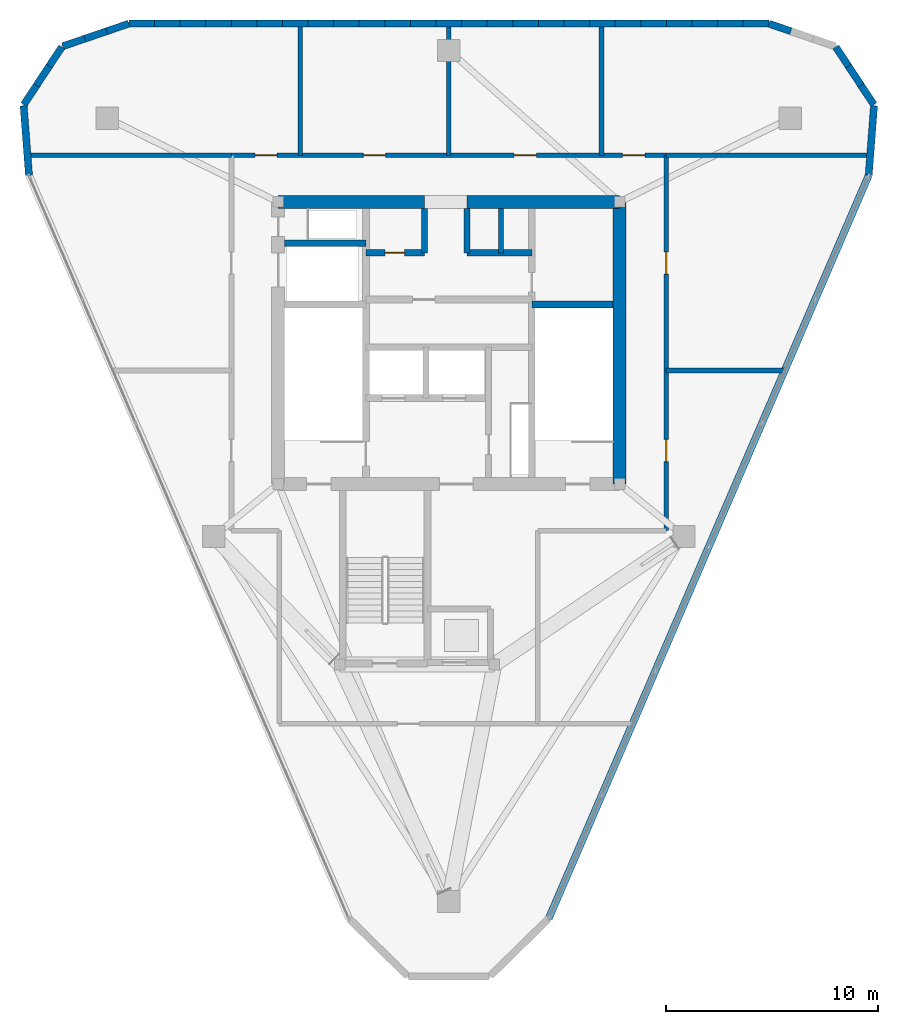
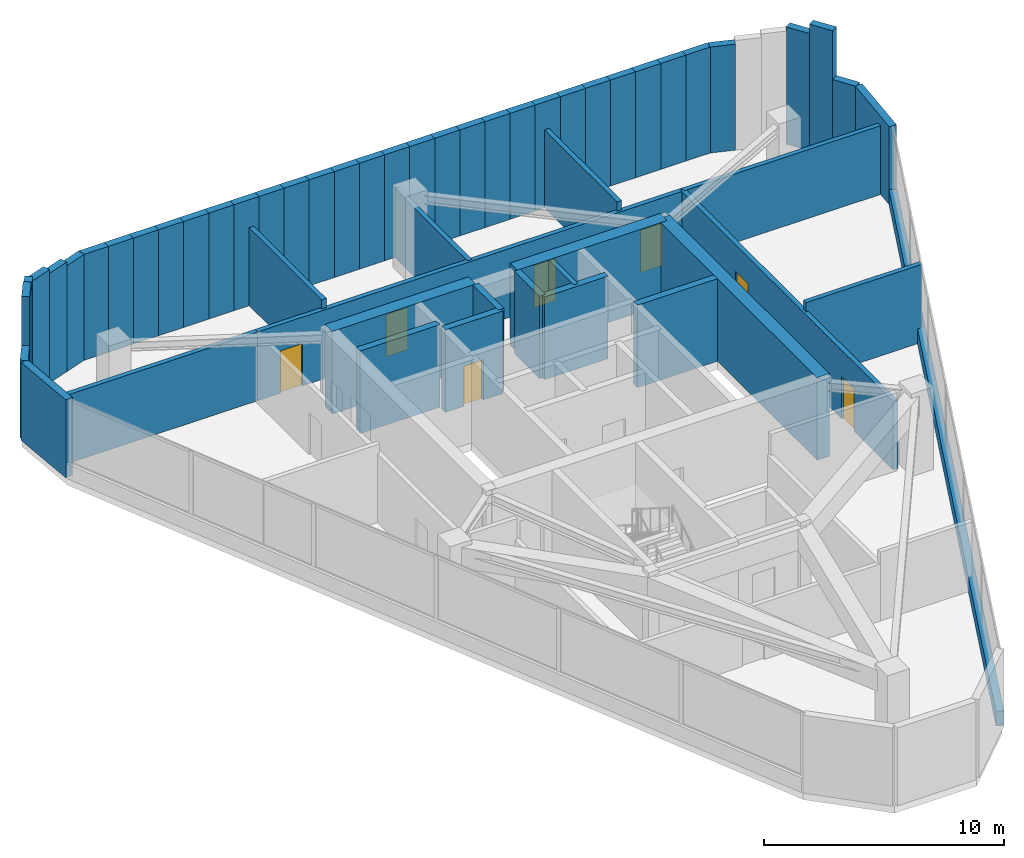
# One storey, part 6 of 9: 56 walls, 7 doors, 7 openings.
"""IFC4 building model written with IfcOpenShell, lengths in metres."""

from ifc_helpers import new_model, si_unit, direction, frame, frame_2d, origin, place, context, subcontext, project, spatial, rectangle, extrude, material, layer, layer_set, type_object, element, fill, save


model = new_model("IFC4")

# Units and contexts
model_context = context("Model", 3, precision=1e-05, world=origin(), true_north=direction((0.0, 1.0)))
body_context = subcontext(model_context, "Body", "Model", "MODEL_VIEW")
ifc_project = project(units=[si_unit("LENGTHUNIT", "METRE"), si_unit("AREAUNIT", "SQUARE_METRE"), si_unit("VOLUMEUNIT", "CUBIC_METRE"), si_unit("PLANEANGLEUNIT", "RADIAN"), si_unit("MASSUNIT", "GRAM", prefix="KILO")], contexts=[model_context])

# Site, building, storey
site_placement = place(None, origin())
site = spatial("IfcSite", under=ifc_project, at=site_placement, CompositionType="ELEMENT")
building_placement = place(site_placement, origin())
building = spatial("IfcBuilding", under=site, at=building_placement, Name="Talyreon Biosciences Tower", CompositionType="ELEMENT")
storey_placement = place(building_placement, frame((0.0, 0.0, 317.199951171875)))
storey = spatial("IfcBuildingStorey", under=building, at=storey_placement, Name="L84", CompositionType="ELEMENT", Elevation=317.199951171875)

# Walls
ifc_material_1 = material(Name="Concrete C50/60", Category="concrete")
ifc_layer_1 = layer(ifc_material_1, 0.219970703125)
ifc_layer_set_1 = layer_set([ifc_layer_1], Name="Concrete C50/60")
wall_type_1 = type_object("IfcWallType", Name="CoreShearWall_220", PredefinedType="SHEAR", material=ifc_layer_set_1)
wall_1_placement = place(storey_placement, frame((68.4599609375, 72.25, 0.0), z_axis=(0.0, 0.0, 1.0), x_axis=(0.0, 1.0, 0.0)))
element("IfcWall", 1, at=wall_1_placement, inside=storey, type_object=wall_type_1, Name="L84 Core Shaft Wall SWPHD", PredefinedType="SHEAR", context=body_context, shape_type="SweptSolid", body=[
    extrude(rectangle(XDim=2.10009765625, YDim=0.219970703125, at=frame_2d((1.050048828125, 0.0))), origin(), (0.0, 0.0, 1.0), 4.199951171875),
])
ifc_layer_2 = layer(ifc_material_1, 0.280029296875)
ifc_layer_set_2 = layer_set([ifc_layer_2], Name="Concrete C50/60")
wall_type_2 = type_object("IfcWallType", Name="CoreShearWall_280", PredefinedType="SHEAR", material=ifc_layer_set_2)
for number, where, z_axis, x_axis, name in (
    (2, (64.85009765625, 72.25, 0.0), (0.0, 0.0, 1.0), (0.0, 1.0, 0.0), "L84 Core Shaft Wall SWTHW"),
    (3, (66.85009765625, 72.25, 0.0), (0.0, 0.0, 1.0), (0.0, 1.0, 0.0), "L84 Core Shaft Wall SWTHE"),
):
    element("IfcWall", number, at=place(storey_placement, frame(where, z_axis=z_axis, x_axis=x_axis)), inside=storey, type_object=wall_type_2, Name=name, PredefinedType="SHEAR", context=body_context, shape_type="SweptSolid", body=[
        extrude(rectangle(XDim=2.10009765625, YDim=0.280029296875, at=frame_2d((1.050048828125, 0.0))), origin(), (0.0, 0.0, 1.0), 4.199951171875),
    ])
ifc_layer_3 = layer(ifc_material_1, 0.320068359375)
ifc_layer_set_3 = layer_set([ifc_layer_3], Name="Concrete C50/60")
wall_type_3 = type_object("IfcWallType", Name="CoreShearWall_320", PredefinedType="SHEAR", material=ifc_layer_set_3)
for number, where, z_axis, x_axis, name in (
    (4, (69.909912109375, 69.81005859375, 0.0), (0.0, 0.0, 1.0), (1.0, 0.0, 0.0), "L84 Core Shaft Wall SW2N"),
    (5, (58.25, 72.699951171875, 0.0), (0.0, 0.0, 1.0), (1.0, 0.0, 0.0), "L84 Core Shaft Wall SWGLN"),
):
    element("IfcWall", number, at=place(storey_placement, frame(where, z_axis=z_axis, x_axis=x_axis)), inside=storey, type_object=wall_type_3, Name=name, PredefinedType="SHEAR", context=body_context, shape_type="SweptSolid", body=[
        extrude(rectangle(XDim=3.840087890625, YDim=0.320068359375, at=frame_2d((1.919921875, 0.0))), origin(), (0.0, 0.0, 1.0), 4.199951171875),
    ])

# Wall, opening, door
wall_2_placement = place(storey_placement, frame((62.090087890625, 72.25, 0.0), z_axis=(0.0, 0.0, 1.0), x_axis=(1.0, 0.0, 0.0)))
wall_2 = element("IfcWall", 6, at=wall_2_placement, inside=storey, type_object=wall_type_3, Name="L84 Core Shaft Wall SWNPW", PredefinedType="SHEAR", context=body_context, shape_type="SweptSolid", body=[
    extrude(rectangle(XDim=2.760009765625, YDim=0.320068359375, at=frame_2d((1.3798828125, 0.0))), origin(), (0.0, 0.0, 1.0), 4.199951171875),
])
opening_1_placement = place(wall_2_placement, frame((0.89990234375, 0.0, 0.0)))
opening_1 = element("IfcOpeningElement", 7, at=opening_1_placement, cuts=wall_2, Name="Opening DR-L84-PM2FREE", PredefinedType="OPENING", context=body_context, shape_type="SweptSolid", body=[
    extrude(rectangle(XDim=0.919921875, YDim=2.050048828125, at=frame_2d((0.4599609375, 1.02490234375))), frame((0.0, 0.169921875, 0.0), z_axis=(0.0, -1.0, 0.0), x_axis=(1.0, 0.0, 0.0)), (0.0, 0.0, 1.0), 0.340087890625),
])
ifc_material_2 = material(Name="Painted steel fire-rated riser door", Category="steel")
door_type_1 = type_object("IfcDoorType", Name="RiserPlantAccessDoor_920x2050", OperationType="NOTDEFINED", PredefinedType="DOOR", material=ifc_material_2)
door_1_placement = place(opening_1_placement, origin())
door_1 = element("IfcDoor", 8, at=door_1_placement, inside=storey, type_object=door_type_1, Name="L84 Core Door DR-L84-PM2FREE", OperationType="SINGLE_SWING_RIGHT", OverallHeight=2.050048828125, OverallWidth=0.919921875, PredefinedType="DOOR", context=body_context, shape_type="SweptSolid", body=[
    extrude(rectangle(XDim=0.919921875, YDim=2.050048828125, at=frame_2d((0.4599609375, 1.02490234375))), frame((0.0, 0.02490234375, 0.0), z_axis=(0.0, -1.0, 0.0), x_axis=(1.0, 0.0, 0.0)), (0.0, 0.0, 1.0), 0.050048828125),
])
fill(opening_1, door_1)

# Walls
wall_3_placement = place(storey_placement, frame((66.85009765625, 72.25, 0.0), z_axis=(0.0, 0.0, 1.0), x_axis=(1.0, 0.0, 0.0)))
element("IfcWall", 9, at=wall_3_placement, inside=storey, type_object=wall_type_3, Name="L84 Core Shaft Wall SWNPE", PredefinedType="SHEAR", context=body_context, shape_type="SweptSolid", body=[
    extrude(rectangle(XDim=3.059814453125, YDim=0.320068359375, at=frame_2d((1.52978515625, 0.0))), origin(), (0.0, 0.0, 1.0), 4.199951171875),
])
ifc_layer_4 = layer(ifc_material_1, 0.60009765625)
ifc_layer_set_4 = layer_set([ifc_layer_4], Name="Concrete C50/60")
wall_type_4 = type_object("IfcWallType", Name="CoreShearWall_600", PredefinedType="SHEAR", material=ifc_layer_set_4)
wall_4_placement = place(storey_placement, frame((74.050048828125, 61.35009765625, 0.0), z_axis=(0.0, 0.0, 1.0), x_axis=(0.0, 1.0, 0.0)))
element("IfcWall", 10, at=wall_4_placement, inside=storey, type_object=wall_type_4, Name="L84 Core Shear Wall E", PredefinedType="SHEAR", context=body_context, shape_type="SweptSolid", body=[
    extrude(rectangle(XDim=13.2998046875, YDim=0.60009765625, at=frame_2d((6.64990234375, 0.0))), origin(), (0.0, 0.0, 1.0), 4.199951171875),
])
wall_5_placement = place(storey_placement, frame((74.050048828125, 74.64990234375, 0.0), z_axis=(0.0, 0.0, 1.0), x_axis=(-1.0, 0.0, 0.0)))
element("IfcWall", 11, at=wall_5_placement, inside=storey, type_object=wall_type_4, Name="L84 Core Shear Wall NE", PredefinedType="SHEAR", context=body_context, shape_type="SweptSolid", body=[
    extrude(rectangle(XDim=7.199951171875, YDim=0.60009765625, at=frame_2d((3.60009765625, 0.0))), origin(), (0.0, 0.0, 1.0), 4.199951171875),
])
wall_6_placement = place(storey_placement, frame((64.85009765625, 74.64990234375, 0.0), z_axis=(0.0, 0.0, 1.0), x_axis=(-1.0, 0.0, 0.0)))
element("IfcWall", 12, at=wall_6_placement, inside=storey, type_object=wall_type_4, Name="L84 Core Shear Wall NW", PredefinedType="SHEAR", context=body_context, shape_type="SweptSolid", body=[
    extrude(rectangle(XDim=6.900146484375, YDim=0.60009765625, at=frame_2d((3.4501953125, 0.0))), origin(), (0.0, 0.0, 1.0), 4.199951171875),
])
ifc_material_3 = material(Name="Gypsum fireboard acoustic stud", Category="gypsum")
ifc_layer_5 = layer(ifc_material_3, 0.219970703125)
ifc_layer_set_5 = layer_set([ifc_layer_5], Name="Gypsum fireboard acoustic stud")
wall_type_5 = type_object("IfcWallType", Name="CorridorRatedPartition_220", PredefinedType="PARTITIONING", material=ifc_layer_set_5)
wall_7_placement = place(storey_placement, frame((59.0, 76.85009765625, 0.0), z_axis=(0.0, 0.0, 1.0), x_axis=(0.0, 1.0, 0.0)))
element("IfcWall", 13, at=wall_7_placement, inside=storey, type_object=wall_type_5, Name="L84 Interior Wall IW-L84-ND1", PredefinedType="PARTITIONING", context=body_context, shape_type="SweptSolid", body=[
    extrude(rectangle(XDim=6.203857421875, YDim=0.219970703125, at=frame_2d((3.10205078125, 0.0))), origin(), (0.0, 0.0, 1.0), 3.965087890625),
])
wall_8_placement = place(storey_placement, frame((66.0, 76.85009765625, 0.0), z_axis=(0.0, 0.0, 1.0), x_axis=(0.0, 1.0, 0.0)))
element("IfcWall", 14, at=wall_8_placement, inside=storey, type_object=wall_type_5, Name="L84 Interior Wall IW-L84-ND2", PredefinedType="PARTITIONING", context=body_context, shape_type="SweptSolid", body=[
    extrude(rectangle(XDim=6.203857421875, YDim=0.219970703125, at=frame_2d((3.10205078125, 0.0))), origin(), (0.0, 0.0, 1.0), 3.4951171875),
])
wall_9_placement = place(storey_placement, frame((73.199951171875, 76.85009765625, 0.0), z_axis=(0.0, 0.0, 1.0), x_axis=(0.0, 1.0, 0.0)))
element("IfcWall", 15, at=wall_9_placement, inside=storey, type_object=wall_type_5, Name="L84 Interior Wall IW-L84-ND3", PredefinedType="PARTITIONING", context=body_context, shape_type="SweptSolid", body=[
    extrude(rectangle(XDim=6.203857421875, YDim=0.219970703125, at=frame_2d((3.10205078125, 0.0))), origin(), (0.0, 0.0, 1.0), 3.965087890625),
])
for number, where, z_axis, x_axis, name in (
    (16, (46.134521484375, 76.85009765625, 0.0), (0.0, 0.0, 1.0), (1.0, 0.0, 0.0), "L84 Interior Wall IW-L84-NDIV-NW"),
    (17, (76.25, 76.85009765625, 0.0), (0.0, 0.0, 1.0), (1.0, 0.0, 0.0), "L84 Interior Wall IW-L84-NDIV-NE"),
):
    element("IfcWall", number, at=place(storey_placement, frame(where, z_axis=z_axis, x_axis=x_axis)), inside=storey, type_object=wall_type_5, Name=name, PredefinedType="PARTITIONING", context=body_context, shape_type="SweptSolid", body=[
        extrude(rectangle(XDim=9.615478515625, YDim=0.219970703125, at=frame_2d((4.8076171875, 0.0))), origin(), (0.0, 0.0, 1.0), 3.4951171875),
    ])
wall_10_placement = place(storey_placement, frame((76.25, 66.699951171875, 0.0), z_axis=(0.0, 0.0, 1.0), x_axis=(1.0, 0.0, 0.0)))
element("IfcWall", 18, at=wall_10_placement, inside=storey, type_object=wall_type_5, Name="L84 Interior Wall IW-L84-ED1", PredefinedType="PARTITIONING", context=body_context, shape_type="SweptSolid", body=[
    extrude(rectangle(XDim=5.580078125, YDim=0.219970703125, at=frame_2d((2.7900390625, 0.0))), origin(), (0.0, 0.0, 1.0), 3.965087890625),
])

# Wall, openings, doors
wall_11_placement = place(storey_placement, frame((76.25, 59.14990234375, 0.0), z_axis=(0.0, 0.0, 1.0), x_axis=(0.0, 1.0, 0.0)))
wall_11 = element("IfcWall", 19, at=wall_11_placement, inside=storey, type_object=wall_type_5, Name="L84 Interior Wall IW-L84-PC-E", PredefinedType="PARTITIONING", context=body_context, shape_type="SweptSolid", body=[
    extrude(rectangle(XDim=17.7001953125, YDim=0.219970703125, at=frame_2d((8.85009765625, 0.0))), origin(), (0.0, 0.0, 1.0), 3.4951171875),
])
opening_2_placement = place(wall_11_placement, frame((3.25, 0.0, 0.0)))
opening_2 = element("IfcOpeningElement", 20, at=opening_2_placement, cuts=wall_11, Name="Opening DR-L84-PL-EB", PredefinedType="OPENING", context=body_context, shape_type="SweptSolid", body=[
    extrude(rectangle(XDim=1.050048828125, YDim=2.14990234375, at=frame_2d((0.52490234375, 1.074951171875))), frame((0.0, 0.119873046875, 0.0), z_axis=(0.0, -1.0, 0.0), x_axis=(1.0, 0.0, 0.0)), (0.0, 0.0, 1.0), 0.239990234375),
])
opening_3_placement = place(wall_11_placement, frame((12.10009765625, 0.0, 0.0)))
opening_3 = element("IfcOpeningElement", 21, at=opening_3_placement, cuts=wall_11, Name="Opening DR-L84-PL-EA", PredefinedType="OPENING", context=body_context, shape_type="SweptSolid", body=[
    extrude(rectangle(XDim=1.050048828125, YDim=2.14990234375, at=frame_2d((0.52490234375, 1.074951171875))), frame((0.0, 0.119873046875, 0.0), z_axis=(0.0, -1.0, 0.0), x_axis=(1.0, 0.0, 0.0)), (0.0, 0.0, 1.0), 0.239990234375),
])
ifc_material_4 = material(Name="Acoustic timber-core laboratory door", Category="wood")
door_type_2 = type_object("IfcDoorType", Name="DryLabSingleDoor_1050x2150", OperationType="NOTDEFINED", PredefinedType="DOOR", material=ifc_material_4)
door_2_placement = place(opening_2_placement, origin())
door_2 = element("IfcDoor", 22, at=door_2_placement, inside=storey, type_object=door_type_2, Name="L84 Interior Door DR-L84-PL-EB", OperationType="SINGLE_SWING_RIGHT", OverallHeight=2.14990234375, OverallWidth=1.050048828125, PredefinedType="DOOR", context=body_context, shape_type="SweptSolid", body=[
    extrude(rectangle(XDim=1.050048828125, YDim=2.14990234375, at=frame_2d((0.52490234375, 1.074951171875))), frame((0.0, 0.02490234375, 0.0), z_axis=(0.0, -1.0, 0.0), x_axis=(1.0, 0.0, 0.0)), (0.0, 0.0, 1.0), 0.050048828125),
])
fill(opening_2, door_2)
door_3_placement = place(opening_3_placement, origin())
door_3 = element("IfcDoor", 23, at=door_3_placement, inside=storey, type_object=door_type_2, Name="L84 Interior Door DR-L84-PL-EA", OperationType="SINGLE_SWING_LEFT", OverallHeight=2.14990234375, OverallWidth=1.050048828125, PredefinedType="DOOR", context=body_context, shape_type="SweptSolid", body=[
    extrude(rectangle(XDim=1.050048828125, YDim=2.14990234375, at=frame_2d((0.52490234375, 1.074951171875))), frame((0.0, 0.02490234375, 0.0), z_axis=(0.0, -1.0, 0.0), x_axis=(1.0, 0.0, 0.0)), (0.0, 0.0, 1.0), 0.050048828125),
])
fill(opening_3, door_3)

wall_12_placement = place(storey_placement, frame((55.75, 76.85009765625, 0.0), z_axis=(0.0, 0.0, 1.0), x_axis=(1.0, 0.0, 0.0)))
wall_12 = element("IfcWall", 24, at=wall_12_placement, inside=storey, type_object=wall_type_5, Name="L84 Interior Wall IW-L84-PC-N", PredefinedType="PARTITIONING", context=body_context, shape_type="SweptSolid", body=[
    extrude(rectangle(XDim=20.5, YDim=0.219970703125, at=frame_2d((10.25, 0.0))), origin(), (0.0, 0.0, 1.0), 3.4951171875),
])
opening_4_placement = place(wall_12_placement, frame((1.10009765625, 0.0, 0.0)))
opening_4 = element("IfcOpeningElement", 25, at=opening_4_placement, cuts=wall_12, Name="Opening DR-L84-PL-NWA", PredefinedType="OPENING", context=body_context, shape_type="SweptSolid", body=[
    extrude(rectangle(XDim=1.050048828125, YDim=2.14990234375, at=frame_2d((0.52490234375, 1.074951171875))), frame((0.0, 0.119873046875, 0.0), z_axis=(0.0, -1.0, 0.0), x_axis=(1.0, 0.0, 0.0)), (0.0, 0.0, 1.0), 0.239990234375),
])
opening_5_placement = place(wall_12_placement, frame((6.22509765625, 0.0, 0.0)))
opening_5 = element("IfcOpeningElement", 26, at=opening_5_placement, cuts=wall_12, Name="Opening DR-L84-PL-NWB", PredefinedType="OPENING", context=body_context, shape_type="SweptSolid", body=[
    extrude(rectangle(XDim=1.050048828125, YDim=2.14990234375, at=frame_2d((0.52490234375, 1.074951171875))), frame((0.0, 0.119873046875, 0.0), z_axis=(0.0, -1.0, 0.0), x_axis=(1.0, 0.0, 0.0)), (0.0, 0.0, 1.0), 0.239990234375),
])
opening_6_placement = place(wall_12_placement, frame((13.324951171875, 0.0, 0.0)))
opening_6 = element("IfcOpeningElement", 27, at=opening_6_placement, cuts=wall_12, Name="Opening DR-L84-PL-NEA", PredefinedType="OPENING", context=body_context, shape_type="SweptSolid", body=[
    extrude(rectangle(XDim=1.050048828125, YDim=2.14990234375, at=frame_2d((0.52490234375, 1.074951171875))), frame((0.0, 0.119873046875, 0.0), z_axis=(0.0, -1.0, 0.0), x_axis=(1.0, 0.0, 0.0)), (0.0, 0.0, 1.0), 0.239990234375),
])
opening_7_placement = place(wall_12_placement, frame((18.449951171875, 0.0, 0.0)))
opening_7 = element("IfcOpeningElement", 28, at=opening_7_placement, cuts=wall_12, Name="Opening DR-L84-PL-NEB", PredefinedType="OPENING", context=body_context, shape_type="SweptSolid", body=[
    extrude(rectangle(XDim=1.050048828125, YDim=2.14990234375, at=frame_2d((0.52490234375, 1.074951171875))), frame((0.0, 0.119873046875, 0.0), z_axis=(0.0, -1.0, 0.0), x_axis=(1.0, 0.0, 0.0)), (0.0, 0.0, 1.0), 0.239990234375),
])
door_4_placement = place(opening_4_placement, origin())
door_4 = element("IfcDoor", 29, at=door_4_placement, inside=storey, type_object=door_type_2, Name="L84 Interior Door DR-L84-PL-NWA", OperationType="SINGLE_SWING_LEFT", OverallHeight=2.14990234375, OverallWidth=1.050048828125, PredefinedType="DOOR", context=body_context, shape_type="SweptSolid", body=[
    extrude(rectangle(XDim=1.050048828125, YDim=2.14990234375, at=frame_2d((0.52490234375, 1.074951171875))), frame((0.0, 0.02490234375, 0.0), z_axis=(0.0, -1.0, 0.0), x_axis=(1.0, 0.0, 0.0)), (0.0, 0.0, 1.0), 0.050048828125),
])
fill(opening_4, door_4)
door_5_placement = place(opening_5_placement, origin())
door_5 = element("IfcDoor", 30, at=door_5_placement, inside=storey, type_object=door_type_2, Name="L84 Interior Door DR-L84-PL-NWB", OperationType="SINGLE_SWING_LEFT", OverallHeight=2.14990234375, OverallWidth=1.050048828125, PredefinedType="DOOR", context=body_context, shape_type="SweptSolid", body=[
    extrude(rectangle(XDim=1.050048828125, YDim=2.14990234375, at=frame_2d((0.52490234375, 1.074951171875))), frame((0.0, 0.02490234375, 0.0), z_axis=(0.0, -1.0, 0.0), x_axis=(1.0, 0.0, 0.0)), (0.0, 0.0, 1.0), 0.050048828125),
])
fill(opening_5, door_5)
door_6_placement = place(opening_6_placement, origin())
door_6 = element("IfcDoor", 31, at=door_6_placement, inside=storey, type_object=door_type_2, Name="L84 Interior Door DR-L84-PL-NEA", OperationType="SINGLE_SWING_RIGHT", OverallHeight=2.14990234375, OverallWidth=1.050048828125, PredefinedType="DOOR", context=body_context, shape_type="SweptSolid", body=[
    extrude(rectangle(XDim=1.050048828125, YDim=2.14990234375, at=frame_2d((0.52490234375, 1.074951171875))), frame((0.0, 0.02490234375, 0.0), z_axis=(0.0, -1.0, 0.0), x_axis=(1.0, 0.0, 0.0)), (0.0, 0.0, 1.0), 0.050048828125),
])
fill(opening_6, door_6)
door_7_placement = place(opening_7_placement, origin())
door_7 = element("IfcDoor", 32, at=door_7_placement, inside=storey, type_object=door_type_2, Name="L84 Interior Door DR-L84-PL-NEB", OperationType="SINGLE_SWING_RIGHT", OverallHeight=2.14990234375, OverallWidth=1.050048828125, PredefinedType="DOOR", context=body_context, shape_type="SweptSolid", body=[
    extrude(rectangle(XDim=1.050048828125, YDim=2.14990234375, at=frame_2d((0.52490234375, 1.074951171875))), frame((0.0, 0.02490234375, 0.0), z_axis=(0.0, -1.0, 0.0), x_axis=(1.0, 0.0, 0.0)), (0.0, 0.0, 1.0), 0.050048828125),
])
fill(opening_7, door_7)

# Walls
ifc_material_5 = material(Name="Precast concrete C45/55", Category="concrete")
ifc_layer_6 = layer(ifc_material_5, 0.340087890625)
ifc_layer_set_6 = layer_set([ifc_layer_6], Name="Precast concrete C45/55")
wall_type_6 = type_object("IfcWallType", Name="PrecastConcreteSpandrelWall_340", PredefinedType="STANDARD", material=ifc_layer_set_6)
wall_13_placement = place(storey_placement, frame((46.20263671875, 75.90185546875, 0.0), z_axis=(0.0, 0.0, 1.0), x_axis=(-0.076900449509, 0.997038776009, 0.0)))
element("IfcWall", 33, at=wall_13_placement, inside=storey, type_object=wall_type_6, Name="L84 Stepped Crown Concrete Wall 00", PredefinedType="STANDARD", context=body_context, shape_type="SweptSolid", body=[
    extrude(rectangle(XDim=3.29541015625, YDim=0.340087890625, at=frame_2d((1.647705078125, 0.0))), origin(), (0.0, 0.0, 1.0), 3.965087890625),
])
wall_14_placement = place(storey_placement, frame((45.96337890625, 79.2421875, 0.0), z_axis=(0.0, 0.0, 1.0), x_axis=(0.549699252671, 0.835362634796, 0.0)))
element("IfcWall", 34, at=wall_14_placement, inside=storey, type_object=wall_type_6, Name="L84 Slanted Crown Spandrel 01.01", PredefinedType="STANDARD", context=body_context, shape_type="SweptSolid", body=[
    extrude(rectangle(XDim=1.083740234375, YDim=0.340087890625, at=frame_2d((0.5419921875, 0.0))), origin(), (0.0, 0.0, 1.0), 3.965087890625),
])
wall_15_placement = place(storey_placement, frame((46.55908203125, 80.1474609375, 0.0), z_axis=(0.0, 0.0, 1.0), x_axis=(0.549959905763, 0.835191057216, 0.0)))
element("IfcWall", 35, at=wall_15_placement, inside=storey, type_object=wall_type_6, Name="L84 Slanted Crown Spandrel 01.02", PredefinedType="STANDARD", context=body_context, shape_type="SweptSolid", body=[
    extrude(rectangle(XDim=1.083740234375, YDim=0.340087890625, at=frame_2d((0.5419921875, 0.0))), origin(), (0.0, 0.0, 1.0), 6.4423828125),
])
wall_16_placement = place(storey_placement, frame((47.155029296875, 81.052490234375, 0.0), z_axis=(0.0, 0.0, 1.0), x_axis=(0.549699252671, 0.835362634796, 0.0)))
element("IfcWall", 36, at=wall_16_placement, inside=storey, type_object=wall_type_6, Name="L84 Slanted Crown Spandrel 01.03", PredefinedType="STANDARD", context=body_context, shape_type="SweptSolid", body=[
    extrude(rectangle(XDim=1.083740234375, YDim=0.340087890625, at=frame_2d((0.5419921875, 0.0))), origin(), (0.0, 0.0, 1.0), 5.96630859375),
])
wall_17_placement = place(storey_placement, frame((47.79541015625, 81.992431640625, 0.0), z_axis=(0.0, 0.0, 1.0), x_axis=(0.946187270161, 0.323619606614, 0.0)))
element("IfcWall", 37, at=wall_17_placement, inside=storey, type_object=wall_type_6, Name="L84 Slanted Crown Spandrel 02.01", PredefinedType="STANDARD", context=body_context, shape_type="SweptSolid", body=[
    extrude(rectangle(XDim=1.098388671875, YDim=0.340087890625, at=frame_2d((0.54931640625, 0.0))), origin(), (0.0, 0.0, 1.0), 5.76123046875),
])
wall_18_placement = place(storey_placement, frame((48.834716796875, 82.347900390625, 0.0), z_axis=(0.0, 0.0, 1.0), x_axis=(0.946187270161, 0.323619606614, 0.0)))
element("IfcWall", 38, at=wall_18_placement, inside=storey, type_object=wall_type_6, Name="L84 Slanted Crown Spandrel 02.02", PredefinedType="STANDARD", context=body_context, shape_type="SweptSolid", body=[
    extrude(rectangle(XDim=1.098388671875, YDim=0.340087890625, at=frame_2d((0.54931640625, 0.0))), origin(), (0.0, 0.0, 1.0), 5.57421875),
])
wall_19_placement = place(storey_placement, frame((49.8740234375, 82.703369140625, 0.0), z_axis=(0.0, 0.0, 1.0), x_axis=(0.946187270161, 0.323619606614, 0.0)))
element("IfcWall", 39, at=wall_19_placement, inside=storey, type_object=wall_type_6, Name="L84 Slanted Crown Spandrel 02.03", PredefinedType="STANDARD", context=body_context, shape_type="SweptSolid", body=[
    extrude(rectangle(XDim=1.098388671875, YDim=0.340087890625, at=frame_2d((0.54931640625, 0.0))), origin(), (0.0, 0.0, 1.0), 5.387451171875),
])
wall_20_placement = place(storey_placement, frame((50.913330078125, 83.058837890625, 0.0), z_axis=(0.0, 0.0, 1.0), x_axis=(1.0, 0.0, 0.0)))
element("IfcWall", 40, at=wall_20_placement, inside=storey, type_object=wall_type_6, Name="L84 Slanted Crown Spandrel 03.01", PredefinedType="STANDARD", context=body_context, shape_type="SweptSolid", body=[
    extrude(rectangle(XDim=1.206787109375, YDim=0.340087890625, at=frame_2d((0.603515625, 0.0))), origin(), (0.0, 0.0, 1.0), 5.387451171875),
])
for number, where, z_axis, x_axis, name in (
    (41, (52.1201171875, 83.058837890625, 0.0), (0.0, 0.0, 1.0), (1.0, 0.0, 0.0), "L84 Slanted Crown Spandrel 03.02"),
    (42, (53.3271484375, 83.058837890625, 0.0), (0.0, 0.0, 1.0), (1.0, 0.0, 0.0), "L84 Slanted Crown Spandrel 03.03"),
):
    element("IfcWall", number, at=place(storey_placement, frame(where, z_axis=z_axis, x_axis=x_axis)), inside=storey, type_object=wall_type_6, Name=name, PredefinedType="STANDARD", context=body_context, shape_type="SweptSolid", body=[
        extrude(rectangle(XDim=1.20703125, YDim=0.340087890625, at=frame_2d((0.603515625, 0.0))), origin(), (0.0, 0.0, 1.0), 5.387451171875),
    ])
wall_21_placement = place(storey_placement, frame((54.5341796875, 83.058837890625, 0.0), z_axis=(0.0, 0.0, 1.0), x_axis=(1.0, 0.0, 0.0)))
element("IfcWall", 43, at=wall_21_placement, inside=storey, type_object=wall_type_6, Name="L84 Slanted Crown Spandrel 03.04", PredefinedType="STANDARD", context=body_context, shape_type="SweptSolid", body=[
    extrude(rectangle(XDim=1.206787109375, YDim=0.340087890625, at=frame_2d((0.603515625, 0.0))), origin(), (0.0, 0.0, 1.0), 5.387451171875),
])
wall_22_placement = place(storey_placement, frame((55.740966796875, 83.058837890625, 0.0), z_axis=(0.0, 0.0, 1.0), x_axis=(1.0, 0.0, 0.0)))
element("IfcWall", 44, at=wall_22_placement, inside=storey, type_object=wall_type_6, Name="L84 Slanted Crown Spandrel 03.05", PredefinedType="STANDARD", context=body_context, shape_type="SweptSolid", body=[
    extrude(rectangle(XDim=1.20703125, YDim=0.340087890625, at=frame_2d((0.603515625, 0.0))), origin(), (0.0, 0.0, 1.0), 5.387451171875),
])
wall_23_placement = place(storey_placement, frame((56.947998046875, 83.058837890625, 0.0), z_axis=(0.0, 0.0, 1.0), x_axis=(1.0, 0.0, 0.0)))
element("IfcWall", 45, at=wall_23_placement, inside=storey, type_object=wall_type_6, Name="L84 Slanted Crown Spandrel 03.06", PredefinedType="STANDARD", context=body_context, shape_type="SweptSolid", body=[
    extrude(rectangle(XDim=1.206787109375, YDim=0.340087890625, at=frame_2d((0.603515625, 0.0))), origin(), (0.0, 0.0, 1.0), 5.387451171875),
])
for number, where, z_axis, x_axis, name in (
    (46, (58.15478515625, 83.058837890625, 0.0), (0.0, 0.0, 1.0), (1.0, 0.0, 0.0), "L84 Slanted Crown Spandrel 03.07"),
    (47, (59.36181640625, 83.058837890625, 0.0), (0.0, 0.0, 1.0), (1.0, 0.0, 0.0), "L84 Slanted Crown Spandrel 03.08"),
):
    element("IfcWall", number, at=place(storey_placement, frame(where, z_axis=z_axis, x_axis=x_axis)), inside=storey, type_object=wall_type_6, Name=name, PredefinedType="STANDARD", context=body_context, shape_type="SweptSolid", body=[
        extrude(rectangle(XDim=1.20703125, YDim=0.340087890625, at=frame_2d((0.603515625, 0.0))), origin(), (0.0, 0.0, 1.0), 5.387451171875),
    ])
wall_24_placement = place(storey_placement, frame((60.56884765625, 83.058837890625, 0.0), z_axis=(0.0, 0.0, 1.0), x_axis=(1.0, 0.0, 0.0)))
element("IfcWall", 48, at=wall_24_placement, inside=storey, type_object=wall_type_6, Name="L84 Slanted Crown Spandrel 03.09", PredefinedType="STANDARD", context=body_context, shape_type="SweptSolid", body=[
    extrude(rectangle(XDim=1.206787109375, YDim=0.340087890625, at=frame_2d((0.603515625, 0.0))), origin(), (0.0, 0.0, 1.0), 5.387451171875),
])
for number, where, z_axis, x_axis, name in (
    (49, (61.775634765625, 83.058837890625, 0.0), (0.0, 0.0, 1.0), (1.0, 0.0, 0.0), "L84 Slanted Crown Spandrel 03.10"),
    (50, (62.982666015625, 83.058837890625, 0.0), (0.0, 0.0, 1.0), (1.0, 0.0, 0.0), "L84 Slanted Crown Spandrel 03.11"),
):
    element("IfcWall", number, at=place(storey_placement, frame(where, z_axis=z_axis, x_axis=x_axis)), inside=storey, type_object=wall_type_6, Name=name, PredefinedType="STANDARD", context=body_context, shape_type="SweptSolid", body=[
        extrude(rectangle(XDim=1.20703125, YDim=0.340087890625, at=frame_2d((0.603515625, 0.0))), origin(), (0.0, 0.0, 1.0), 5.387451171875),
    ])
wall_25_placement = place(storey_placement, frame((64.189697265625, 83.058837890625, 0.0), z_axis=(0.0, 0.0, 1.0), x_axis=(1.0, 0.0, 0.0)))
element("IfcWall", 51, at=wall_25_placement, inside=storey, type_object=wall_type_6, Name="L84 Slanted Crown Spandrel 03.12", PredefinedType="STANDARD", context=body_context, shape_type="SweptSolid", body=[
    extrude(rectangle(XDim=1.206787109375, YDim=0.340087890625, at=frame_2d((0.603515625, 0.0))), origin(), (0.0, 0.0, 1.0), 5.387451171875),
])
wall_26_placement = place(storey_placement, frame((65.396484375, 83.058837890625, 0.0), z_axis=(0.0, 0.0, 1.0), x_axis=(1.0, 0.0, 0.0)))
element("IfcWall", 52, at=wall_26_placement, inside=storey, type_object=wall_type_6, Name="L84 Slanted Crown Spandrel 03.13", PredefinedType="STANDARD", context=body_context, shape_type="SweptSolid", body=[
    extrude(rectangle(XDim=1.20703125, YDim=0.340087890625, at=frame_2d((0.603515625, 0.0))), origin(), (0.0, 0.0, 1.0), 5.387451171875),
])
wall_27_placement = place(storey_placement, frame((66.603515625, 83.058837890625, 0.0), z_axis=(0.0, 0.0, 1.0), x_axis=(1.0, 0.0, 0.0)))
element("IfcWall", 53, at=wall_27_placement, inside=storey, type_object=wall_type_6, Name="L84 Slanted Crown Spandrel 03.14", PredefinedType="STANDARD", context=body_context, shape_type="SweptSolid", body=[
    extrude(rectangle(XDim=1.206787109375, YDim=0.340087890625, at=frame_2d((0.603515625, 0.0))), origin(), (0.0, 0.0, 1.0), 5.387451171875),
])
for number, where, z_axis, x_axis, name in (
    (54, (67.810302734375, 83.058837890625, 0.0), (0.0, 0.0, 1.0), (1.0, 0.0, 0.0), "L84 Slanted Crown Spandrel 03.15"),
    (55, (69.017333984375, 83.058837890625, 0.0), (0.0, 0.0, 1.0), (1.0, 0.0, 0.0), "L84 Slanted Crown Spandrel 03.16"),
):
    element("IfcWall", number, at=place(storey_placement, frame(where, z_axis=z_axis, x_axis=x_axis)), inside=storey, type_object=wall_type_6, Name=name, PredefinedType="STANDARD", context=body_context, shape_type="SweptSolid", body=[
        extrude(rectangle(XDim=1.20703125, YDim=0.340087890625, at=frame_2d((0.603515625, 0.0))), origin(), (0.0, 0.0, 1.0), 5.387451171875),
    ])
wall_28_placement = place(storey_placement, frame((70.224365234375, 83.058837890625, 0.0), z_axis=(0.0, 0.0, 1.0), x_axis=(1.0, 0.0, 0.0)))
element("IfcWall", 56, at=wall_28_placement, inside=storey, type_object=wall_type_6, Name="L84 Slanted Crown Spandrel 03.17", PredefinedType="STANDARD", context=body_context, shape_type="SweptSolid", body=[
    extrude(rectangle(XDim=1.206787109375, YDim=0.340087890625, at=frame_2d((0.603515625, 0.0))), origin(), (0.0, 0.0, 1.0), 5.387451171875),
])
for number, where, z_axis, x_axis, name in (
    (57, (71.43115234375, 83.058837890625, 0.0), (0.0, 0.0, 1.0), (1.0, 0.0, 0.0), "L84 Slanted Crown Spandrel 03.18"),
    (58, (72.63818359375, 83.058837890625, 0.0), (0.0, 0.0, 1.0), (1.0, 0.0, 0.0), "L84 Slanted Crown Spandrel 03.19"),
):
    element("IfcWall", number, at=place(storey_placement, frame(where, z_axis=z_axis, x_axis=x_axis)), inside=storey, type_object=wall_type_6, Name=name, PredefinedType="STANDARD", context=body_context, shape_type="SweptSolid", body=[
        extrude(rectangle(XDim=1.20703125, YDim=0.340087890625, at=frame_2d((0.603515625, 0.0))), origin(), (0.0, 0.0, 1.0), 5.387451171875),
    ])
wall_29_placement = place(storey_placement, frame((73.84521484375, 83.058837890625, 0.0), z_axis=(0.0, 0.0, 1.0), x_axis=(1.0, 0.0, 0.0)))
element("IfcWall", 59, at=wall_29_placement, inside=storey, type_object=wall_type_6, Name="L84 Slanted Crown Spandrel 03.20", PredefinedType="STANDARD", context=body_context, shape_type="SweptSolid", body=[
    extrude(rectangle(XDim=1.206787109375, YDim=0.340087890625, at=frame_2d((0.603515625, 0.0))), origin(), (0.0, 0.0, 1.0), 5.387451171875),
])
wall_30_placement = place(storey_placement, frame((75.052001953125, 83.058837890625, 0.0), z_axis=(0.0, 0.0, 1.0), x_axis=(1.0, 0.0, 0.0)))
element("IfcWall", 60, at=wall_30_placement, inside=storey, type_object=wall_type_6, Name="L84 Slanted Crown Spandrel 03.21", PredefinedType="STANDARD", context=body_context, shape_type="SweptSolid", body=[
    extrude(rectangle(XDim=1.20703125, YDim=0.340087890625, at=frame_2d((0.603515625, 0.0))), origin(), (0.0, 0.0, 1.0), 5.387451171875),
])
wall_31_placement = place(storey_placement, frame((76.259033203125, 83.058837890625, 0.0), z_axis=(0.0, 0.0, 1.0), x_axis=(1.0, 0.0, 0.0)))
element("IfcWall", 61, at=wall_31_placement, inside=storey, type_object=wall_type_6, Name="L84 Slanted Crown Spandrel 03.22", PredefinedType="STANDARD", context=body_context, shape_type="SweptSolid", body=[
    extrude(rectangle(XDim=1.206787109375, YDim=0.340087890625, at=frame_2d((0.603515625, 0.0))), origin(), (0.0, 0.0, 1.0), 5.387451171875),
])
for number, where, z_axis, x_axis, name in (
    (62, (77.4658203125, 83.058837890625, 0.0), (0.0, 0.0, 1.0), (1.0, 0.0, 0.0), "L84 Slanted Crown Spandrel 03.23"),
    (63, (78.6728515625, 83.058837890625, 0.0), (0.0, 0.0, 1.0), (1.0, 0.0, 0.0), "L84 Slanted Crown Spandrel 03.24"),
):
    element("IfcWall", number, at=place(storey_placement, frame(where, z_axis=z_axis, x_axis=x_axis)), inside=storey, type_object=wall_type_6, Name=name, PredefinedType="STANDARD", context=body_context, shape_type="SweptSolid", body=[
        extrude(rectangle(XDim=1.20703125, YDim=0.340087890625, at=frame_2d((0.603515625, 0.0))), origin(), (0.0, 0.0, 1.0), 5.387451171875),
    ])
wall_32_placement = place(storey_placement, frame((79.8798828125, 83.058837890625, 0.0), z_axis=(0.0, 0.0, 1.0), x_axis=(1.0, 0.0, 0.0)))
element("IfcWall", 64, at=wall_32_placement, inside=storey, type_object=wall_type_6, Name="L84 Slanted Crown Spandrel 03.25", PredefinedType="STANDARD", context=body_context, shape_type="SweptSolid", body=[
    extrude(rectangle(XDim=1.206787109375, YDim=0.340087890625, at=frame_2d((0.603515625, 0.0))), origin(), (0.0, 0.0, 1.0), 5.387451171875),
])
wall_33_placement = place(storey_placement, frame((81.086669921875, 83.058837890625, 0.0), z_axis=(0.0, 0.0, 1.0), x_axis=(0.946187270161, -0.323619606614, 0.0)))
element("IfcWall", 65, at=wall_33_placement, inside=storey, type_object=wall_type_6, Name="L84 Slanted Crown Spandrel 04.01", PredefinedType="STANDARD", context=body_context, shape_type="SweptSolid", body=[
    extrude(rectangle(XDim=1.098388671875, YDim=0.340087890625, at=frame_2d((0.54931640625, 0.0))), origin(), (0.0, 0.0, 1.0), 5.387451171875),
])
wall_34_placement = place(storey_placement, frame((84.249267578125, 81.957763671875, 0.0), z_axis=(0.0, 0.0, 1.0), x_axis=(0.549699252671, -0.835362634796, 0.0)))
element("IfcWall", 66, at=wall_34_placement, inside=storey, type_object=wall_type_6, Name="L84 Slanted Crown Spandrel 05.01", PredefinedType="STANDARD", context=body_context, shape_type="SweptSolid", body=[
    extrude(rectangle(XDim=1.083740234375, YDim=0.340087890625, at=frame_2d((0.5419921875, 0.0))), origin(), (0.0, 0.0, 1.0), 5.96630859375),
])
wall_35_placement = place(storey_placement, frame((84.844970703125, 81.052490234375, 0.0), z_axis=(0.0, 0.0, 1.0), x_axis=(0.549959905763, -0.835191057216, 0.0)))
element("IfcWall", 67, at=wall_35_placement, inside=storey, type_object=wall_type_6, Name="L84 Slanted Crown Spandrel 05.02", PredefinedType="STANDARD", context=body_context, shape_type="SweptSolid", body=[
    extrude(rectangle(XDim=1.083740234375, YDim=0.340087890625, at=frame_2d((0.5419921875, 0.0))), origin(), (0.0, 0.0, 1.0), 6.4423828125),
])
wall_36_placement = place(storey_placement, frame((85.44091796875, 80.1474609375, 0.0), z_axis=(0.0, 0.0, 1.0), x_axis=(0.549699252671, -0.835362634796, 0.0)))
element("IfcWall", 68, at=wall_36_placement, inside=storey, type_object=wall_type_6, Name="L84 Slanted Crown Spandrel 05.03", PredefinedType="STANDARD", context=body_context, shape_type="SweptSolid", body=[
    extrude(rectangle(XDim=1.083740234375, YDim=0.340087890625, at=frame_2d((0.5419921875, 0.0))), origin(), (0.0, 0.0, 1.0), 3.965087890625),
])
wall_37_placement = place(storey_placement, frame((86.05078125, 79.1875, 0.0), z_axis=(0.0, 0.0, 1.0), x_axis=(-0.076900449509, -0.997038776009, 0.0)))
element("IfcWall", 69, at=wall_37_placement, inside=storey, type_object=wall_type_6, Name="L84 Stepped Crown Concrete Wall 06", PredefinedType="STANDARD", context=body_context, shape_type="SweptSolid", body=[
    extrude(rectangle(XDim=3.29541015625, YDim=0.340087890625, at=frame_2d((1.647705078125, 0.0))), origin(), (0.0, 0.0, 1.0), 3.965087890625),
])
wall_38_placement = place(storey_placement, frame((85.79736328125, 75.90185546875, 0.0), z_axis=(0.0, 0.0, 1.0), x_axis=(-0.395452427469, -0.918486460221, 0.0)))
element("IfcWall", 70, at=wall_38_placement, inside=storey, type_object=wall_type_6, Name="L84 Stepped Crown Sill Wall 07", PredefinedType="STANDARD", context=body_context, shape_type="SweptSolid", body=[
    extrude(rectangle(XDim=38.1552734375, YDim=0.340087890625, at=frame_2d((19.07763671875, 0.0))), origin(), (0.0, 0.0, 1.0), 0.75),
])

save(model, "model.ifc")
